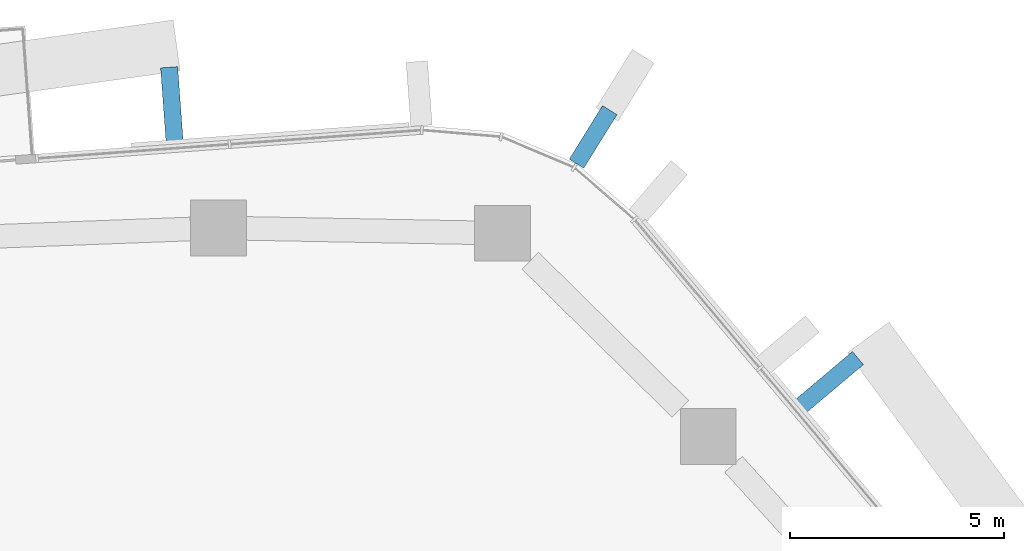
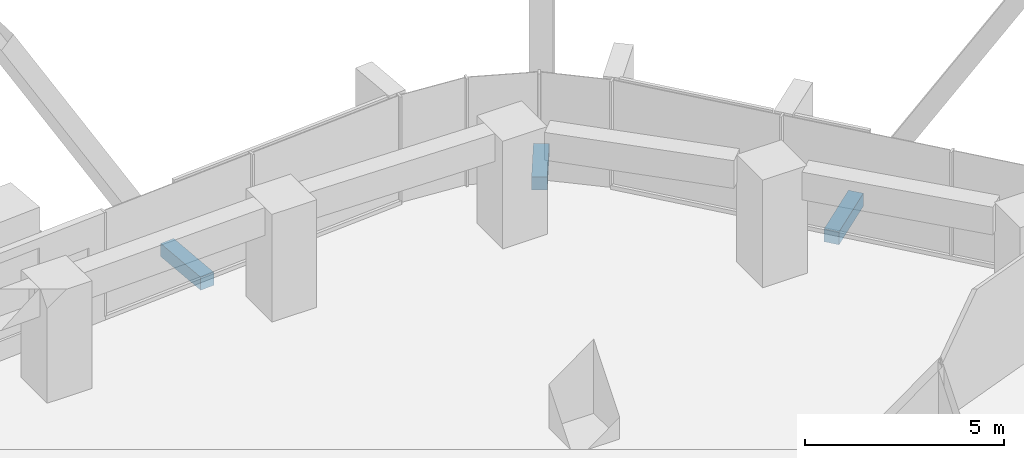
# One storey, part 17 of 24: 3 discrete accessories.
"""IFC4 building model written with IfcOpenShell, lengths in metres."""

from ifc_helpers import new_model, si_unit, direction, frame, origin, origin_2d, place, context, subcontext, project, spatial, rectangle, extrude, material, type_object, element, save


model = new_model("IFC4")

# Units and contexts
model_context = context("Model", 3, precision=1e-05, world=origin(), true_north=direction((0.0, 1.0)))
body_context = subcontext(model_context, "Body", "Model", "MODEL_VIEW")
ifc_project = project(units=[si_unit("LENGTHUNIT", "METRE"), si_unit("AREAUNIT", "SQUARE_METRE"), si_unit("VOLUMEUNIT", "CUBIC_METRE"), si_unit("PLANEANGLEUNIT", "RADIAN"), si_unit("MASSUNIT", "GRAM", prefix="KILO")], contexts=[model_context])

# Site, building, storey
site_placement = place(None, origin())
site = spatial("IfcSite", under=ifc_project, at=site_placement, CompositionType="ELEMENT")
building_placement = place(site_placement, origin())
building = spatial("IfcBuilding", under=site, at=building_placement, Name="Dongbaek Canopy Tower", CompositionType="ELEMENT")
storey_placement = place(building_placement, frame((0.0, 0.0, 128.5)))
storey = spatial("IfcBuildingStorey", under=building, at=storey_placement, Name="L28", CompositionType="ELEMENT", Elevation=128.5)

# Discrete accessories
ifc_material = material(Name="Galvanised steel S355 bracket", Category="steel")
discrete_accessory_type = type_object("IfcDiscreteAccessoryType", Name="Crease fin bracket BR3 400", PredefinedType="BRACKET", material=ifc_material)
discrete_accessory_1_placement = place(storey_placement, frame((19.518310546875, 23.1826171875, -0.39990234375), z_axis=(0.0, 0.0, 1.0), x_axis=(0.764438901396, 0.644696181183, 0.0)))
element("IfcDiscreteAccessory", 1, at=discrete_accessory_1_placement, inside=storey, type_object=discrete_accessory_type, Name="Crease fin bracket L28 F0", PredefinedType="BRACKET", context=body_context, shape_type="SweptSolid", body=[
    extrude(rectangle(XDim=1.7998046875, YDim=0.39990234375, at=origin_2d()), origin(), (0.0, 0.0, 1.0), 0.39990234375),
])
discrete_accessory_2_placement = place(storey_placement, frame((4.211181640625, 29.64990234375, -0.39990234375), z_axis=(0.0, 0.0, 1.0), x_axis=(-0.073518437616, 0.997293858063, 0.0)))
element("IfcDiscreteAccessory", 2, at=discrete_accessory_2_placement, inside=storey, type_object=discrete_accessory_type, Name="Crease fin bracket L28 F1", PredefinedType="BRACKET", context=body_context, shape_type="SweptSolid", body=[
    extrude(rectangle(XDim=1.7919921875, YDim=0.39990234375, at=origin_2d()), origin(), (0.0, 0.0, 1.0), 0.39990234375),
])
discrete_accessory_3_placement = place(storey_placement, frame((14.031982421875, 28.919189453125, -0.39990234375), z_axis=(0.0, 0.0, 1.0), x_axis=(0.527440762672, 0.849591808972, 0.0)))
element("IfcDiscreteAccessory", 3, at=discrete_accessory_3_placement, inside=storey, type_object=discrete_accessory_type, Name="Corner fin bracket L28 K1", PredefinedType="BRACKET", context=body_context, shape_type="SweptSolid", body=[
    extrude(rectangle(XDim=1.469970703125, YDim=0.39990234375, at=origin_2d()), origin(), (0.0, 0.0, 1.0), 0.39990234375),
])

save(model, "model.ifc")
